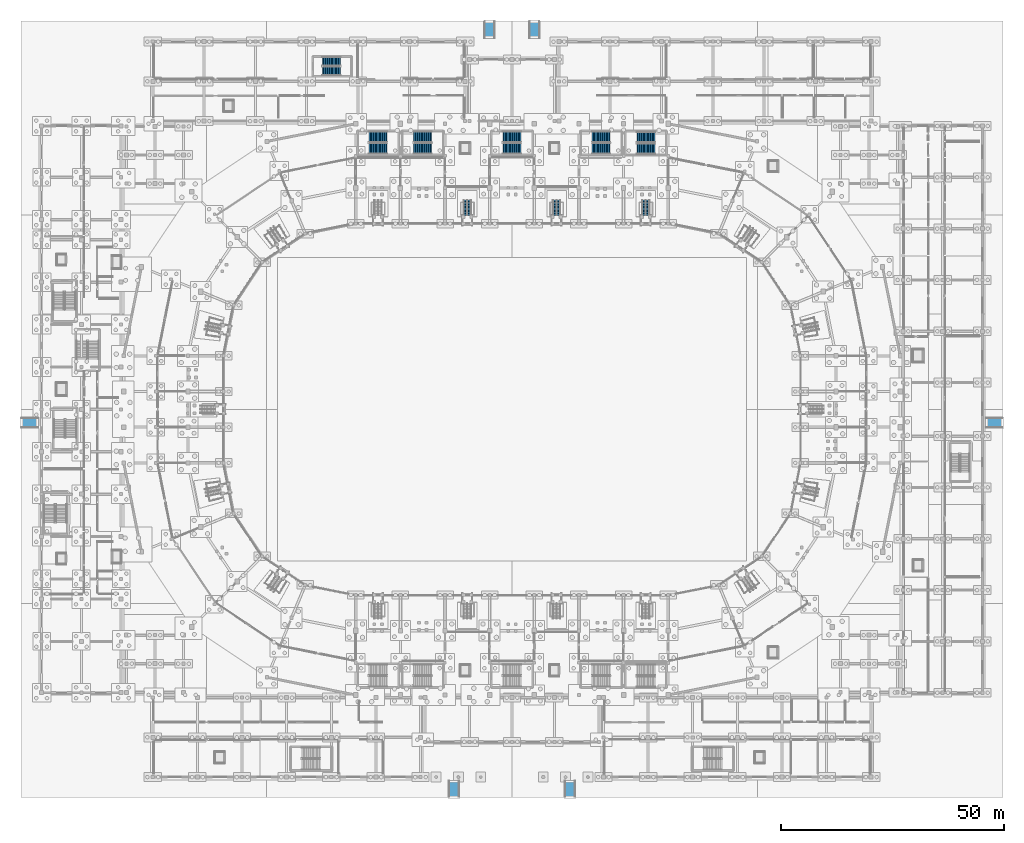
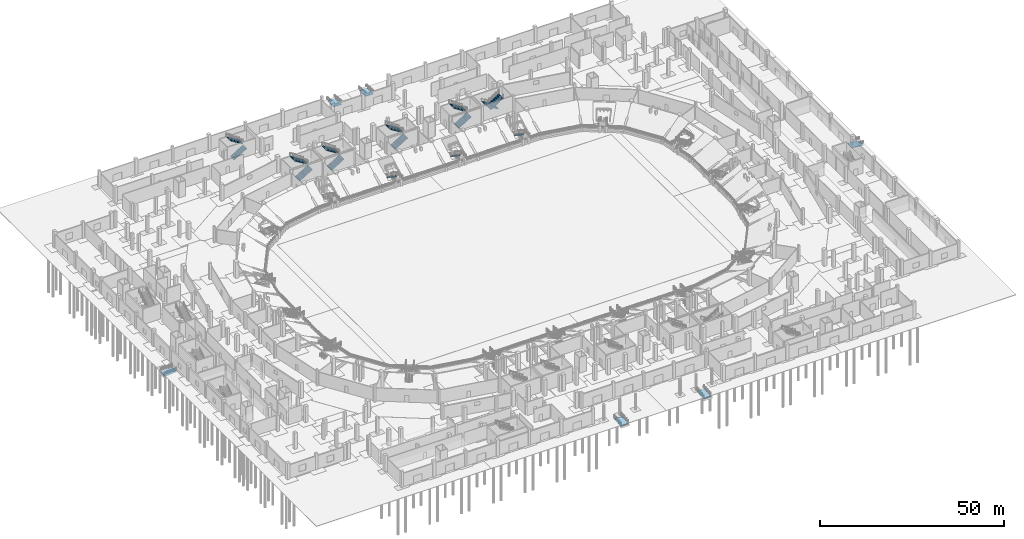
# One storey, part 45 of 68: 15 stair flights, 6 ramp flights, 15 elements without a shape of their own.
"""IFC4 building model written with IfcOpenShell, lengths in metres."""

from ifc_helpers import new_model, si_unit, direction, frame, origin, place, context, subcontext, project, spatial, polyline, outline, extrude, material, layer, layer_set, type_object, element, aggregate, save


model = new_model("IFC4")

# Units and contexts
model_context = context("Model", 3, precision=1e-05, world=origin(), true_north=direction((0.0, 1.0)))
body_context = subcontext(model_context, "Body", "Model", "MODEL_VIEW")
ifc_project = project(units=[si_unit("LENGTHUNIT", "METRE"), si_unit("AREAUNIT", "SQUARE_METRE"), si_unit("VOLUMEUNIT", "CUBIC_METRE"), si_unit("PLANEANGLEUNIT", "RADIAN"), si_unit("MASSUNIT", "GRAM", prefix="KILO")], contexts=[model_context])

# Site, building, storey
site_placement = place(None, origin())
site = spatial("IfcSite", under=ifc_project, at=site_placement, CompositionType="ELEMENT")
building_placement = place(site_placement, origin())
building = spatial("IfcBuilding", under=site, at=building_placement, Name="Candeia Ridge Stadium", CompositionType="ELEMENT")
storey_placement = place(building_placement, origin())
storey = spatial("IfcBuildingStorey", under=building, at=storey_placement, Name="L00", CompositionType="ELEMENT", Elevation=0.0)

# Stair, stair flights
ifc_material_1 = material(Name="Concrete C40/50", Category="concrete")
stair_type_1 = type_object("IfcStairType", Name="Enclosed Core Half-Turn Stair 2450", PredefinedType="HALF_TURN_STAIR", material=ifc_material_1)
stair_1_placement = place(storey_placement, origin())
stair_1 = element("IfcStair", 1, at=stair_1_placement, inside=storey, type_object=stair_type_1, Name="L00 Enclosed exit stair ST01", PredefinedType="HALF_TURN_STAIR")
ifc_material_2 = material(Name="Precast concrete C40/50", Category="concrete")
stair_flight_type_1 = type_object("IfcStairFlightType", Name="Core Precast Stair Flight 2450", PredefinedType="STRAIGHT", material=ifc_material_2)
stair_flight_1_placement = place(storey_placement, frame((73.949951171875, 141.425048828125, 0.0), z_axis=(0.0, 0.0, 1.0), x_axis=(1.0, 0.0, 0.0)))
stair_flight_1 = element("IfcStairFlight", 2, at=stair_flight_1_placement, type_object=stair_flight_type_1, Name="ST01 flight 1", NumberOfRisers=15, NumberOfTreads=14, PredefinedType="STRAIGHT", RiserHeight=0.18, TreadLength=0.29, context=body_context, shape_type="SweptSolid", body=[
    extrude(outline(polyline([(0.0, 0.0), (0.0, 0.179931640625), (0.2900390625, 0.179931640625), (0.2900390625, 0.360107421875), (0.580078125, 0.360107421875), (0.580078125, 0.5400390625), (0.8701171875, 0.5400390625), (0.8701171875, 0.719970703125), (1.159912109375, 0.719970703125), (1.159912109375, 0.89990234375), (1.449951171875, 0.89990234375), (1.449951171875, 1.080078125), (1.739990234375, 1.080078125), (1.739990234375, 1.260009765625), (2.030029296875, 1.260009765625), (2.030029296875, 1.43994140625), (2.320068359375, 1.43994140625), (2.320068359375, 1.6201171875), (2.610107421875, 1.6201171875), (2.610107421875, 1.800048828125), (2.89990234375, 1.800048828125), (2.89990234375, 1.97998046875), (3.18994140625, 1.97998046875), (3.18994140625, 2.159912109375), (3.47998046875, 2.159912109375), (3.47998046875, 2.340087890625), (3.77001953125, 2.340087890625), (3.77001953125, 2.52001953125), (4.06005859375, 2.52001953125), (4.06005859375, 2.699951171875), (4.06005859375, 2.331787109375), (0.30322265625, 0.0), (0.0, 0.0)])), frame((0.0, 1.22509765625, 0.0), z_axis=(0.0, -1.0, 0.0), x_axis=(1.0, 0.0, 0.0)), (0.0, 0.0, 1.0), 2.449951171875),
])
stair_flight_2_placement = place(storey_placement, frame((78.010009765625, 144.02490234375, 2.699951171875), z_axis=(0.0, 0.0, 1.0), x_axis=(-1.0, 0.0, 0.0)))
stair_flight_2 = element("IfcStairFlight", 3, at=stair_flight_2_placement, type_object=stair_flight_type_1, Name="ST01 flight 2", NumberOfRisers=15, NumberOfTreads=14, PredefinedType="STRAIGHT", RiserHeight=0.18, TreadLength=0.29, context=body_context, shape_type="SweptSolid", body=[
    extrude(outline(polyline([(0.0, 0.0), (0.0, 0.179931640625), (0.2900390625, 0.179931640625), (0.2900390625, 0.360107421875), (0.580078125, 0.360107421875), (0.580078125, 0.5400390625), (0.8701171875, 0.5400390625), (0.8701171875, 0.719970703125), (1.159912109375, 0.719970703125), (1.159912109375, 0.89990234375), (1.449951171875, 0.89990234375), (1.449951171875, 1.080078125), (1.739990234375, 1.080078125), (1.739990234375, 1.260009765625), (2.030029296875, 1.260009765625), (2.030029296875, 1.43994140625), (2.320068359375, 1.43994140625), (2.320068359375, 1.6201171875), (2.610107421875, 1.6201171875), (2.610107421875, 1.800048828125), (2.89990234375, 1.800048828125), (2.89990234375, 1.97998046875), (3.18994140625, 1.97998046875), (3.18994140625, 2.159912109375), (3.47998046875, 2.159912109375), (3.47998046875, 2.340087890625), (3.77001953125, 2.340087890625), (3.77001953125, 2.52001953125), (4.06005859375, 2.52001953125), (4.06005859375, 2.699951171875), (4.06005859375, 2.331787109375), (0.30322265625, 0.0), (0.0, 0.0)])), frame((0.0, 1.22509765625, 0.0), z_axis=(0.0, -1.0, 0.0), x_axis=(1.0, 0.0, 0.0)), (0.0, 0.0, 1.0), 2.449951171875),
])
aggregate(stair_1, [stair_flight_1, stair_flight_2])

stair_2_placement = place(storey_placement, origin())
stair_2 = element("IfcStair", 4, at=stair_2_placement, inside=storey, type_object=stair_type_1, Name="L00 Enclosed exit stair ST04", PredefinedType="HALF_TURN_STAIR")
stair_flight_3_placement = place(storey_placement, frame((138.050048828125, 143.97509765625, 0.0), z_axis=(0.0, 0.0, 1.0), x_axis=(-1.0, 0.0, 0.0)))
stair_flight_3 = element("IfcStairFlight", 5, at=stair_flight_3_placement, type_object=stair_flight_type_1, Name="ST04 flight 1", NumberOfRisers=15, NumberOfTreads=14, PredefinedType="STRAIGHT", RiserHeight=0.18, TreadLength=0.29, context=body_context, shape_type="SweptSolid", body=[
    extrude(outline(polyline([(0.0, 0.0), (0.0, 0.179931640625), (0.2900390625, 0.179931640625), (0.2900390625, 0.360107421875), (0.580078125, 0.360107421875), (0.580078125, 0.5400390625), (0.8701171875, 0.5400390625), (0.8701171875, 0.719970703125), (1.159912109375, 0.719970703125), (1.159912109375, 0.89990234375), (1.449951171875, 0.89990234375), (1.449951171875, 1.080078125), (1.739990234375, 1.080078125), (1.739990234375, 1.260009765625), (2.030029296875, 1.260009765625), (2.030029296875, 1.43994140625), (2.320068359375, 1.43994140625), (2.320068359375, 1.6201171875), (2.610107421875, 1.6201171875), (2.610107421875, 1.800048828125), (2.89990234375, 1.800048828125), (2.89990234375, 1.97998046875), (3.18994140625, 1.97998046875), (3.18994140625, 2.159912109375), (3.47998046875, 2.159912109375), (3.47998046875, 2.340087890625), (3.77001953125, 2.340087890625), (3.77001953125, 2.52001953125), (4.06005859375, 2.52001953125), (4.06005859375, 2.699951171875), (4.06005859375, 2.331787109375), (0.30322265625, 0.0), (0.0, 0.0)])), frame((0.0, 1.22509765625, 0.0), z_axis=(0.0, -1.0, 0.0), x_axis=(1.0, 0.0, 0.0)), (0.0, 0.0, 1.0), 2.449951171875),
])
stair_flight_4_placement = place(storey_placement, frame((133.989990234375, 141.375, 2.699951171875), z_axis=(0.0, 0.0, 1.0), x_axis=(1.0, 0.0, 0.0)))
stair_flight_4 = element("IfcStairFlight", 6, at=stair_flight_4_placement, type_object=stair_flight_type_1, Name="ST04 flight 2", NumberOfRisers=15, NumberOfTreads=14, PredefinedType="STRAIGHT", RiserHeight=0.18, TreadLength=0.29, context=body_context, shape_type="SweptSolid", body=[
    extrude(outline(polyline([(0.0, 0.0), (0.0, 0.179931640625), (0.2900390625, 0.179931640625), (0.2900390625, 0.360107421875), (0.580078125, 0.360107421875), (0.580078125, 0.5400390625), (0.8701171875, 0.5400390625), (0.8701171875, 0.719970703125), (1.159912109375, 0.719970703125), (1.159912109375, 0.89990234375), (1.449951171875, 0.89990234375), (1.449951171875, 1.080078125), (1.739990234375, 1.080078125), (1.739990234375, 1.260009765625), (2.030029296875, 1.260009765625), (2.030029296875, 1.43994140625), (2.320068359375, 1.43994140625), (2.320068359375, 1.6201171875), (2.610107421875, 1.6201171875), (2.610107421875, 1.800048828125), (2.89990234375, 1.800048828125), (2.89990234375, 1.97998046875), (3.18994140625, 1.97998046875), (3.18994140625, 2.159912109375), (3.47998046875, 2.159912109375), (3.47998046875, 2.340087890625), (3.77001953125, 2.340087890625), (3.77001953125, 2.52001953125), (4.06005859375, 2.52001953125), (4.06005859375, 2.699951171875), (4.06005859375, 2.331787109375), (0.30322265625, 0.0), (0.0, 0.0)])), frame((0.0, 1.22509765625, 0.0), z_axis=(0.0, -1.0, 0.0), x_axis=(1.0, 0.0, 0.0)), (0.0, 0.0, 1.0), 2.449951171875),
])
aggregate(stair_2, [stair_flight_3, stair_flight_4])

stair_3_placement = place(storey_placement, origin())
stair_3 = element("IfcStair", 7, at=stair_3_placement, inside=storey, type_object=stair_type_1, Name="L00 Enclosed exit stair ST09", PredefinedType="HALF_TURN_STAIR")
stair_flight_5_placement = place(storey_placement, frame((83.949951171875, 141.425048828125, 0.0), z_axis=(0.0, 0.0, 1.0), x_axis=(1.0, 0.0, 0.0)))
stair_flight_5 = element("IfcStairFlight", 8, at=stair_flight_5_placement, type_object=stair_flight_type_1, Name="ST09 flight 1", NumberOfRisers=15, NumberOfTreads=14, PredefinedType="STRAIGHT", RiserHeight=0.18, TreadLength=0.29, context=body_context, shape_type="SweptSolid", body=[
    extrude(outline(polyline([(0.0, 0.0), (0.0, 0.179931640625), (0.2900390625, 0.179931640625), (0.2900390625, 0.360107421875), (0.580078125, 0.360107421875), (0.580078125, 0.5400390625), (0.8701171875, 0.5400390625), (0.8701171875, 0.719970703125), (1.159912109375, 0.719970703125), (1.159912109375, 0.89990234375), (1.449951171875, 0.89990234375), (1.449951171875, 1.080078125), (1.739990234375, 1.080078125), (1.739990234375, 1.260009765625), (2.030029296875, 1.260009765625), (2.030029296875, 1.43994140625), (2.320068359375, 1.43994140625), (2.320068359375, 1.6201171875), (2.610107421875, 1.6201171875), (2.610107421875, 1.800048828125), (2.89990234375, 1.800048828125), (2.89990234375, 1.97998046875), (3.18994140625, 1.97998046875), (3.18994140625, 2.159912109375), (3.47998046875, 2.159912109375), (3.47998046875, 2.340087890625), (3.77001953125, 2.340087890625), (3.77001953125, 2.52001953125), (4.06005859375, 2.52001953125), (4.06005859375, 2.699951171875), (4.06005859375, 2.331787109375), (0.30322265625, 0.0), (0.0, 0.0)])), frame((0.0, 1.22509765625, 0.0), z_axis=(0.0, -1.0, 0.0), x_axis=(1.0, 0.0, 0.0)), (0.0, 0.0, 1.0), 2.449951171875),
])
stair_flight_6_placement = place(storey_placement, frame((88.010009765625, 144.02490234375, 2.699951171875), z_axis=(0.0, 0.0, 1.0), x_axis=(-1.0, 0.0, 0.0)))
stair_flight_6 = element("IfcStairFlight", 9, at=stair_flight_6_placement, type_object=stair_flight_type_1, Name="ST09 flight 2", NumberOfRisers=15, NumberOfTreads=14, PredefinedType="STRAIGHT", RiserHeight=0.18, TreadLength=0.29, context=body_context, shape_type="SweptSolid", body=[
    extrude(outline(polyline([(0.0, 0.0), (0.0, 0.179931640625), (0.2900390625, 0.179931640625), (0.2900390625, 0.360107421875), (0.580078125, 0.360107421875), (0.580078125, 0.5400390625), (0.8701171875, 0.5400390625), (0.8701171875, 0.719970703125), (1.159912109375, 0.719970703125), (1.159912109375, 0.89990234375), (1.449951171875, 0.89990234375), (1.449951171875, 1.080078125), (1.739990234375, 1.080078125), (1.739990234375, 1.260009765625), (2.030029296875, 1.260009765625), (2.030029296875, 1.43994140625), (2.320068359375, 1.43994140625), (2.320068359375, 1.6201171875), (2.610107421875, 1.6201171875), (2.610107421875, 1.800048828125), (2.89990234375, 1.800048828125), (2.89990234375, 1.97998046875), (3.18994140625, 1.97998046875), (3.18994140625, 2.159912109375), (3.47998046875, 2.159912109375), (3.47998046875, 2.340087890625), (3.77001953125, 2.340087890625), (3.77001953125, 2.52001953125), (4.06005859375, 2.52001953125), (4.06005859375, 2.699951171875), (4.06005859375, 2.331787109375), (0.30322265625, 0.0), (0.0, 0.0)])), frame((0.0, 1.22509765625, 0.0), z_axis=(0.0, -1.0, 0.0), x_axis=(1.0, 0.0, 0.0)), (0.0, 0.0, 1.0), 2.449951171875),
])
aggregate(stair_3, [stair_flight_5, stair_flight_6])

stair_4_placement = place(storey_placement, origin())
stair_4 = element("IfcStair", 10, at=stair_4_placement, inside=storey, type_object=stair_type_1, Name="L00 Enclosed exit stair ST10", PredefinedType="HALF_TURN_STAIR")
stair_flight_7_placement = place(storey_placement, frame((123.949951171875, 141.425048828125, 0.0), z_axis=(0.0, 0.0, 1.0), x_axis=(1.0, 0.0, 0.0)))
stair_flight_7 = element("IfcStairFlight", 11, at=stair_flight_7_placement, type_object=stair_flight_type_1, Name="ST10 flight 1", NumberOfRisers=15, NumberOfTreads=14, PredefinedType="STRAIGHT", RiserHeight=0.18, TreadLength=0.29, context=body_context, shape_type="SweptSolid", body=[
    extrude(outline(polyline([(0.0, 0.0), (0.0, 0.179931640625), (0.2900390625, 0.179931640625), (0.2900390625, 0.360107421875), (0.580078125, 0.360107421875), (0.580078125, 0.5400390625), (0.8701171875, 0.5400390625), (0.8701171875, 0.719970703125), (1.159912109375, 0.719970703125), (1.159912109375, 0.89990234375), (1.449951171875, 0.89990234375), (1.449951171875, 1.080078125), (1.739990234375, 1.080078125), (1.739990234375, 1.260009765625), (2.030029296875, 1.260009765625), (2.030029296875, 1.43994140625), (2.320068359375, 1.43994140625), (2.320068359375, 1.6201171875), (2.610107421875, 1.6201171875), (2.610107421875, 1.800048828125), (2.89990234375, 1.800048828125), (2.89990234375, 1.97998046875), (3.18994140625, 1.97998046875), (3.18994140625, 2.159912109375), (3.47998046875, 2.159912109375), (3.47998046875, 2.340087890625), (3.77001953125, 2.340087890625), (3.77001953125, 2.52001953125), (4.06005859375, 2.52001953125), (4.06005859375, 2.699951171875), (4.06005859375, 2.331787109375), (0.30322265625, 0.0), (0.0, 0.0)])), frame((0.0, 1.22509765625, 0.0), z_axis=(0.0, -1.0, 0.0), x_axis=(1.0, 0.0, 0.0)), (0.0, 0.0, 1.0), 2.449951171875),
])
stair_flight_8_placement = place(storey_placement, frame((128.010009765625, 144.02490234375, 2.699951171875), z_axis=(0.0, 0.0, 1.0), x_axis=(-1.0, 0.0, 0.0)))
stair_flight_8 = element("IfcStairFlight", 12, at=stair_flight_8_placement, type_object=stair_flight_type_1, Name="ST10 flight 2", NumberOfRisers=15, NumberOfTreads=14, PredefinedType="STRAIGHT", RiserHeight=0.18, TreadLength=0.29, context=body_context, shape_type="SweptSolid", body=[
    extrude(outline(polyline([(0.0, 0.0), (0.0, 0.179931640625), (0.2900390625, 0.179931640625), (0.2900390625, 0.360107421875), (0.580078125, 0.360107421875), (0.580078125, 0.5400390625), (0.8701171875, 0.5400390625), (0.8701171875, 0.719970703125), (1.159912109375, 0.719970703125), (1.159912109375, 0.89990234375), (1.449951171875, 0.89990234375), (1.449951171875, 1.080078125), (1.739990234375, 1.080078125), (1.739990234375, 1.260009765625), (2.030029296875, 1.260009765625), (2.030029296875, 1.43994140625), (2.320068359375, 1.43994140625), (2.320068359375, 1.6201171875), (2.610107421875, 1.6201171875), (2.610107421875, 1.800048828125), (2.89990234375, 1.800048828125), (2.89990234375, 1.97998046875), (3.18994140625, 1.97998046875), (3.18994140625, 2.159912109375), (3.47998046875, 2.159912109375), (3.47998046875, 2.340087890625), (3.77001953125, 2.340087890625), (3.77001953125, 2.52001953125), (4.06005859375, 2.52001953125), (4.06005859375, 2.699951171875), (4.06005859375, 2.331787109375), (0.30322265625, 0.0), (0.0, 0.0)])), frame((0.0, 1.22509765625, 0.0), z_axis=(0.0, -1.0, 0.0), x_axis=(1.0, 0.0, 0.0)), (0.0, 0.0, 1.0), 2.449951171875),
])
aggregate(stair_4, [stair_flight_7, stair_flight_8])

stair_5_placement = place(storey_placement, origin())
stair_5 = element("IfcStair", 13, at=stair_5_placement, inside=storey, type_object=stair_type_1, Name="L00 Enclosed exit stair ST17", PredefinedType="HALF_TURN_STAIR")
stair_flight_9_placement = place(storey_placement, frame((103.949951171875, 141.425048828125, 0.0), z_axis=(0.0, 0.0, 1.0), x_axis=(1.0, 0.0, 0.0)))
stair_flight_9 = element("IfcStairFlight", 14, at=stair_flight_9_placement, type_object=stair_flight_type_1, Name="ST17 flight 1", NumberOfRisers=15, NumberOfTreads=14, PredefinedType="STRAIGHT", RiserHeight=0.18, TreadLength=0.29, context=body_context, shape_type="SweptSolid", body=[
    extrude(outline(polyline([(0.0, 0.0), (0.0, 0.179931640625), (0.2900390625, 0.179931640625), (0.2900390625, 0.360107421875), (0.580078125, 0.360107421875), (0.580078125, 0.5400390625), (0.8701171875, 0.5400390625), (0.8701171875, 0.719970703125), (1.159912109375, 0.719970703125), (1.159912109375, 0.89990234375), (1.449951171875, 0.89990234375), (1.449951171875, 1.080078125), (1.739990234375, 1.080078125), (1.739990234375, 1.260009765625), (2.030029296875, 1.260009765625), (2.030029296875, 1.43994140625), (2.320068359375, 1.43994140625), (2.320068359375, 1.6201171875), (2.610107421875, 1.6201171875), (2.610107421875, 1.800048828125), (2.89990234375, 1.800048828125), (2.89990234375, 1.97998046875), (3.18994140625, 1.97998046875), (3.18994140625, 2.159912109375), (3.47998046875, 2.159912109375), (3.47998046875, 2.340087890625), (3.77001953125, 2.340087890625), (3.77001953125, 2.52001953125), (4.06005859375, 2.52001953125), (4.06005859375, 2.699951171875), (4.06005859375, 2.331787109375), (0.30322265625, 0.0), (0.0, 0.0)])), frame((0.0, 1.22509765625, 0.0), z_axis=(0.0, -1.0, 0.0), x_axis=(1.0, 0.0, 0.0)), (0.0, 0.0, 1.0), 2.449951171875),
])
stair_flight_10_placement = place(storey_placement, frame((108.010009765625, 144.02490234375, 2.699951171875), z_axis=(0.0, 0.0, 1.0), x_axis=(-1.0, 0.0, 0.0)))
stair_flight_10 = element("IfcStairFlight", 15, at=stair_flight_10_placement, type_object=stair_flight_type_1, Name="ST17 flight 2", NumberOfRisers=15, NumberOfTreads=14, PredefinedType="STRAIGHT", RiserHeight=0.18, TreadLength=0.29, context=body_context, shape_type="SweptSolid", body=[
    extrude(outline(polyline([(0.0, 0.0), (0.0, 0.179931640625), (0.2900390625, 0.179931640625), (0.2900390625, 0.360107421875), (0.580078125, 0.360107421875), (0.580078125, 0.5400390625), (0.8701171875, 0.5400390625), (0.8701171875, 0.719970703125), (1.159912109375, 0.719970703125), (1.159912109375, 0.89990234375), (1.449951171875, 0.89990234375), (1.449951171875, 1.080078125), (1.739990234375, 1.080078125), (1.739990234375, 1.260009765625), (2.030029296875, 1.260009765625), (2.030029296875, 1.43994140625), (2.320068359375, 1.43994140625), (2.320068359375, 1.6201171875), (2.610107421875, 1.6201171875), (2.610107421875, 1.800048828125), (2.89990234375, 1.800048828125), (2.89990234375, 1.97998046875), (3.18994140625, 1.97998046875), (3.18994140625, 2.159912109375), (3.47998046875, 2.159912109375), (3.47998046875, 2.340087890625), (3.77001953125, 2.340087890625), (3.77001953125, 2.52001953125), (4.06005859375, 2.52001953125), (4.06005859375, 2.699951171875), (4.06005859375, 2.331787109375), (0.30322265625, 0.0), (0.0, 0.0)])), frame((0.0, 1.22509765625, 0.0), z_axis=(0.0, -1.0, 0.0), x_axis=(1.0, 0.0, 0.0)), (0.0, 0.0, 1.0), 2.449951171875),
])
aggregate(stair_5, [stair_flight_9, stair_flight_10])

# Stair, stair flight
ifc_material_3 = material(Name="Precast concrete C45/55", Category="concrete")
stair_type_2 = type_object("IfcStairType", Name="Spectator Vomitory Straight Stair 2200", PredefinedType="STRAIGHT_RUN_STAIR", material=ifc_material_3)
stair_6_placement = place(storey_placement, origin())
stair_6 = element("IfcStair", 16, at=stair_6_placement, inside=storey, type_object=stair_type_2, Name="Vomitory stair VS01", PredefinedType="STRAIGHT_RUN_STAIR")
stair_flight_type_2 = type_object("IfcStairFlightType", Name="Vomitory Precast Stair Flight 2200", PredefinedType="STRAIGHT", material=ifc_material_3)
stair_flight_11_placement = place(storey_placement, frame((136.0, 129.89208984375, 0.0), z_axis=(0.0, 0.0, 1.0), x_axis=(0.0, -1.0, 0.0)))
stair_flight_11 = element("IfcStairFlight", 17, at=stair_flight_11_placement, type_object=stair_flight_type_2, Name="VS01 flight 1", NumberOfRisers=13, NumberOfTreads=12, PredefinedType="STRAIGHT", RiserHeight=0.172308, TreadLength=0.285, context=body_context, shape_type="SweptSolid", body=[
    extrude(outline(polyline([(0.0, 0.0), (0.0, 0.17236328125), (0.284912109375, 0.17236328125), (0.284912109375, 0.3447265625), (0.570068359375, 0.3447265625), (0.570068359375, 0.516845703125), (0.85498046875, 0.516845703125), (0.85498046875, 0.689208984375), (1.139892578125, 0.689208984375), (1.139892578125, 0.861572265625), (1.425048828125, 0.861572265625), (1.425048828125, 1.033935546875), (1.7099609375, 1.033935546875), (1.7099609375, 1.2060546875), (1.9951171875, 1.2060546875), (1.9951171875, 1.37841796875), (2.280029296875, 1.37841796875), (2.280029296875, 1.55078125), (2.56494140625, 1.55078125), (2.56494140625, 1.72314453125), (2.85009765625, 1.72314453125), (2.85009765625, 1.8955078125), (3.135009765625, 1.8955078125), (3.135009765625, 2.067626953125), (3.419921875, 2.067626953125), (3.419921875, 2.239990234375), (3.419921875, 1.857421875), (0.34765625, 0.0), (0.0, 0.0)])), frame((0.0, 0.800048828125, 0.0), z_axis=(0.0, -1.0, 0.0), x_axis=(1.0, 0.0, 0.0)), (0.0, 0.0, 1.0), 1.60009765625),
])
aggregate(stair_6, [stair_flight_11])

stair_7_placement = place(storey_placement, origin())
stair_7 = element("IfcStair", 18, at=stair_7_placement, inside=storey, type_object=stair_type_2, Name="Vomitory stair VS02", PredefinedType="STRAIGHT_RUN_STAIR")
stair_flight_12_placement = place(storey_placement, frame((116.0, 129.89208984375, 0.0), z_axis=(0.0, 0.0, 1.0), x_axis=(0.0, -1.0, 0.0)))
stair_flight_12 = element("IfcStairFlight", 19, at=stair_flight_12_placement, type_object=stair_flight_type_2, Name="VS02 flight 1", NumberOfRisers=13, NumberOfTreads=12, PredefinedType="STRAIGHT", RiserHeight=0.172308, TreadLength=0.285, context=body_context, shape_type="SweptSolid", body=[
    extrude(outline(polyline([(0.0, 0.0), (0.0, 0.17236328125), (0.284912109375, 0.17236328125), (0.284912109375, 0.3447265625), (0.570068359375, 0.3447265625), (0.570068359375, 0.516845703125), (0.85498046875, 0.516845703125), (0.85498046875, 0.689208984375), (1.139892578125, 0.689208984375), (1.139892578125, 0.861572265625), (1.425048828125, 0.861572265625), (1.425048828125, 1.033935546875), (1.7099609375, 1.033935546875), (1.7099609375, 1.2060546875), (1.9951171875, 1.2060546875), (1.9951171875, 1.37841796875), (2.280029296875, 1.37841796875), (2.280029296875, 1.55078125), (2.56494140625, 1.55078125), (2.56494140625, 1.72314453125), (2.85009765625, 1.72314453125), (2.85009765625, 1.8955078125), (3.135009765625, 1.8955078125), (3.135009765625, 2.067626953125), (3.419921875, 2.067626953125), (3.419921875, 2.239990234375), (3.419921875, 1.857421875), (0.34765625, 0.0), (0.0, 0.0)])), frame((0.0, 0.800048828125, 0.0), z_axis=(0.0, -1.0, 0.0), x_axis=(1.0, 0.0, 0.0)), (0.0, 0.0, 1.0), 1.60009765625),
])
aggregate(stair_7, [stair_flight_12])

stair_8_placement = place(storey_placement, origin())
stair_8 = element("IfcStair", 20, at=stair_8_placement, inside=storey, type_object=stair_type_2, Name="Vomitory stair VS03", PredefinedType="STRAIGHT_RUN_STAIR")
stair_flight_13_placement = place(storey_placement, frame((96.0, 129.89208984375, 0.0), z_axis=(0.0, 0.0, 1.0), x_axis=(0.0, -1.0, 0.0)))
stair_flight_13 = element("IfcStairFlight", 21, at=stair_flight_13_placement, type_object=stair_flight_type_2, Name="VS03 flight 1", NumberOfRisers=13, NumberOfTreads=12, PredefinedType="STRAIGHT", RiserHeight=0.172308, TreadLength=0.285, context=body_context, shape_type="SweptSolid", body=[
    extrude(outline(polyline([(0.0, 0.0), (0.0, 0.17236328125), (0.284912109375, 0.17236328125), (0.284912109375, 0.3447265625), (0.570068359375, 0.3447265625), (0.570068359375, 0.516845703125), (0.85498046875, 0.516845703125), (0.85498046875, 0.689208984375), (1.139892578125, 0.689208984375), (1.139892578125, 0.861572265625), (1.425048828125, 0.861572265625), (1.425048828125, 1.033935546875), (1.7099609375, 1.033935546875), (1.7099609375, 1.2060546875), (1.9951171875, 1.2060546875), (1.9951171875, 1.37841796875), (2.280029296875, 1.37841796875), (2.280029296875, 1.55078125), (2.56494140625, 1.55078125), (2.56494140625, 1.72314453125), (2.85009765625, 1.72314453125), (2.85009765625, 1.8955078125), (3.135009765625, 1.8955078125), (3.135009765625, 2.067626953125), (3.419921875, 2.067626953125), (3.419921875, 2.239990234375), (3.419921875, 1.857421875), (0.34765625, 0.0), (0.0, 0.0)])), frame((0.0, 0.800048828125, 0.0), z_axis=(0.0, -1.0, 0.0), x_axis=(1.0, 0.0, 0.0)), (0.0, 0.0, 1.0), 1.60009765625),
])
aggregate(stair_8, [stair_flight_13])

# Stair, stair flights
stair_type_3 = type_object("IfcStairType", Name="Enclosed Wing Half-Turn Stair 2000", PredefinedType="HALF_TURN_STAIR", material=ifc_material_1)
stair_9_placement = place(storey_placement, origin())
stair_9 = element("IfcStair", 22, at=stair_9_placement, inside=storey, type_object=stair_type_3, Name="L00 Enclosed exit stair ST15", PredefinedType="HALF_TURN_STAIR")
stair_flight_type_3 = type_object("IfcStairFlightType", Name="Wing Precast Stair Flight 2000", PredefinedType="STRAIGHT", material=ifc_material_2)
stair_flight_14_placement = place(storey_placement, frame((63.5, 158.800048828125, 0.0), z_axis=(0.0, 0.0, 1.0), x_axis=(1.0, 0.0, 0.0)))
stair_flight_14 = element("IfcStairFlight", 23, at=stair_flight_14_placement, type_object=stair_flight_type_3, Name="ST15 flight 1", NumberOfRisers=15, NumberOfTreads=14, PredefinedType="STRAIGHT", RiserHeight=0.18, TreadLength=0.29, context=body_context, shape_type="SweptSolid", body=[
    extrude(outline(polyline([(0.0, 0.0), (0.0, 0.179931640625), (0.2900390625, 0.179931640625), (0.2900390625, 0.360107421875), (0.580078125, 0.360107421875), (0.580078125, 0.5400390625), (0.8701171875, 0.5400390625), (0.8701171875, 0.719970703125), (1.159912109375, 0.719970703125), (1.159912109375, 0.89990234375), (1.449951171875, 0.89990234375), (1.449951171875, 1.080078125), (1.739990234375, 1.080078125), (1.739990234375, 1.260009765625), (2.030029296875, 1.260009765625), (2.030029296875, 1.43994140625), (2.320068359375, 1.43994140625), (2.320068359375, 1.6201171875), (2.610107421875, 1.6201171875), (2.610107421875, 1.800048828125), (2.89990234375, 1.800048828125), (2.89990234375, 1.97998046875), (3.18994140625, 1.97998046875), (3.18994140625, 2.159912109375), (3.47998046875, 2.159912109375), (3.47998046875, 2.340087890625), (3.77001953125, 2.340087890625), (3.77001953125, 2.52001953125), (4.06005859375, 2.52001953125), (4.06005859375, 2.699951171875), (4.06005859375, 2.331787109375), (0.30322265625, 0.0), (0.0, 0.0)])), frame((0.0, 1.0, 0.0), z_axis=(0.0, -1.0, 0.0), x_axis=(1.0, 0.0, 0.0)), (0.0, 0.0, 1.0), 2.0),
])
stair_flight_15_placement = place(storey_placement, frame((67.56005859375, 160.949951171875, 2.699951171875), z_axis=(0.0, 0.0, 1.0), x_axis=(-1.0, 0.0, 0.0)))
stair_flight_15 = element("IfcStairFlight", 24, at=stair_flight_15_placement, type_object=stair_flight_type_3, Name="ST15 flight 2", NumberOfRisers=15, NumberOfTreads=14, PredefinedType="STRAIGHT", RiserHeight=0.18, TreadLength=0.29, context=body_context, shape_type="SweptSolid", body=[
    extrude(outline(polyline([(0.0, 0.0), (0.0, 0.179931640625), (0.2900390625, 0.179931640625), (0.2900390625, 0.360107421875), (0.580078125, 0.360107421875), (0.580078125, 0.5400390625), (0.8701171875, 0.5400390625), (0.8701171875, 0.719970703125), (1.159912109375, 0.719970703125), (1.159912109375, 0.89990234375), (1.449951171875, 0.89990234375), (1.449951171875, 1.080078125), (1.739990234375, 1.080078125), (1.739990234375, 1.260009765625), (2.030029296875, 1.260009765625), (2.030029296875, 1.43994140625), (2.320068359375, 1.43994140625), (2.320068359375, 1.6201171875), (2.610107421875, 1.6201171875), (2.610107421875, 1.800048828125), (2.89990234375, 1.800048828125), (2.89990234375, 1.97998046875), (3.18994140625, 1.97998046875), (3.18994140625, 2.159912109375), (3.47998046875, 2.159912109375), (3.47998046875, 2.340087890625), (3.77001953125, 2.340087890625), (3.77001953125, 2.52001953125), (4.06005859375, 2.52001953125), (4.06005859375, 2.699951171875), (4.06005859375, 2.331787109375), (0.30322265625, 0.0), (0.0, 0.0)])), frame((0.0, 1.0, 0.0), z_axis=(0.0, -1.0, 0.0), x_axis=(1.0, 0.0, 0.0)), (0.0, 0.0, 1.0), 2.0),
])
aggregate(stair_9, [stair_flight_14, stair_flight_15])

# Ramp, ramp flight
ifc_material_4 = material(Name="Concrete C35/45", Category="concrete")
ramp_type = type_object("IfcRampType", Name="Accessible Threshold Ramp 1:12", PredefinedType="STRAIGHT_RUN_RAMP", material=ifc_material_4)
ramp_1_placement = place(storey_placement, origin())
ramp_1 = element("IfcRamp", 25, at=ramp_1_placement, inside=storey, type_object=ramp_type, Name="Accessible 1:12 entrance ramp RMP-S1", PredefinedType="STRAIGHT_RUN_RAMP")
ifc_layer = layer(ifc_material_4, 0.219970703125, Name="Concrete C35/45", Category="concrete")
ifc_layer_set = layer_set([ifc_layer], Name="Concrete C35/45")
ramp_flight_type = type_object("IfcRampFlightType", Name="Accessible Ramp Flight 1:12", PredefinedType="STRAIGHT", material=ifc_layer_set)
ramp_flight_1_placement = place(storey_placement, frame((93.0, -3.800048828125, -0.300048828125), z_axis=(0.0, 0.0, 1.0), x_axis=(0.0, 1.0, 0.0)))
ramp_flight_1 = element("IfcRampFlight", 26, at=ramp_flight_1_placement, type_object=ramp_flight_type, Name="Accessible ramp flight RMP-S1-FL1", PredefinedType="STRAIGHT", context=body_context, shape_type="SweptSolid", body=[
    extrude(outline(polyline([(0.0, 0.0), (3.60009765625, 0.300048828125), (3.60009765625, 0.080078125), (0.0, -0.219970703125), (0.0, 0.0)])), frame((0.0, 1.199951171875, 0.0), z_axis=(0.0, -1.0, 0.0), x_axis=(1.0, 0.0, 0.0)), (0.0, 0.0, 1.0), 2.39990234375),
])
aggregate(ramp_1, [ramp_flight_1])

ramp_2_placement = place(storey_placement, origin())
ramp_2 = element("IfcRamp", 27, at=ramp_2_placement, inside=storey, type_object=ramp_type, Name="Accessible 1:12 entrance ramp RMP-S2", PredefinedType="STRAIGHT_RUN_RAMP")
ramp_flight_2_placement = place(storey_placement, frame((119.0, -3.800048828125, -0.300048828125), z_axis=(0.0, 0.0, 1.0), x_axis=(0.0, 1.0, 0.0)))
ramp_flight_2 = element("IfcRampFlight", 28, at=ramp_flight_2_placement, type_object=ramp_flight_type, Name="Accessible ramp flight RMP-S2-FL1", PredefinedType="STRAIGHT", context=body_context, shape_type="SweptSolid", body=[
    extrude(outline(polyline([(0.0, 0.0), (3.60009765625, 0.300048828125), (3.60009765625, 0.080078125), (0.0, -0.219970703125), (0.0, 0.0)])), frame((0.0, 1.199951171875, 0.0), z_axis=(0.0, -1.0, 0.0), x_axis=(1.0, 0.0, 0.0)), (0.0, 0.0, 1.0), 2.39990234375),
])
aggregate(ramp_2, [ramp_flight_2])

ramp_3_placement = place(storey_placement, origin())
ramp_3 = element("IfcRamp", 29, at=ramp_3_placement, inside=storey, type_object=ramp_type, Name="Accessible 1:12 entrance ramp RMP-N1", PredefinedType="STRAIGHT_RUN_RAMP")
ramp_flight_3_placement = place(storey_placement, frame((101.0, 169.800048828125, -0.300048828125), z_axis=(0.0, 0.0, 1.0), x_axis=(0.0, -1.0, 0.0)))
ramp_flight_3 = element("IfcRampFlight", 30, at=ramp_flight_3_placement, type_object=ramp_flight_type, Name="Accessible ramp flight RMP-N1-FL1", PredefinedType="STRAIGHT", context=body_context, shape_type="SweptSolid", body=[
    extrude(outline(polyline([(0.0, 0.0), (3.60009765625, 0.300048828125), (3.60009765625, 0.080078125), (0.0, -0.219970703125), (0.0, 0.0)])), frame((0.0, 1.199951171875, 0.0), z_axis=(0.0, -1.0, 0.0), x_axis=(1.0, 0.0, 0.0)), (0.0, 0.0, 1.0), 2.39990234375),
])
aggregate(ramp_3, [ramp_flight_3])

ramp_4_placement = place(storey_placement, origin())
ramp_4 = element("IfcRamp", 31, at=ramp_4_placement, inside=storey, type_object=ramp_type, Name="Accessible 1:12 entrance ramp RMP-N2", PredefinedType="STRAIGHT_RUN_RAMP")
ramp_flight_4_placement = place(storey_placement, frame((111.0, 169.800048828125, -0.300048828125), z_axis=(0.0, 0.0, 1.0), x_axis=(0.0, -1.0, 0.0)))
ramp_flight_4 = element("IfcRampFlight", 32, at=ramp_flight_4_placement, type_object=ramp_flight_type, Name="Accessible ramp flight RMP-N2-FL1", PredefinedType="STRAIGHT", context=body_context, shape_type="SweptSolid", body=[
    extrude(outline(polyline([(0.0, 0.0), (3.60009765625, 0.300048828125), (3.60009765625, 0.080078125), (0.0, -0.219970703125), (0.0, 0.0)])), frame((0.0, 1.199951171875, 0.0), z_axis=(0.0, -1.0, 0.0), x_axis=(1.0, 0.0, 0.0)), (0.0, 0.0, 1.0), 2.39990234375),
])
aggregate(ramp_4, [ramp_flight_4])

ramp_5_placement = place(storey_placement, origin())
ramp_5 = element("IfcRamp", 33, at=ramp_5_placement, inside=storey, type_object=ramp_type, Name="Accessible 1:12 entrance ramp RMP-W1", PredefinedType="STRAIGHT_RUN_RAMP")
ramp_flight_5_placement = place(storey_placement, frame((-3.800048828125, 80.0, -0.300048828125), z_axis=(0.0, 0.0, 1.0), x_axis=(1.0, 0.0, 0.0)))
ramp_flight_5 = element("IfcRampFlight", 34, at=ramp_flight_5_placement, type_object=ramp_flight_type, Name="Accessible ramp flight RMP-W1-FL1", PredefinedType="STRAIGHT", context=body_context, shape_type="SweptSolid", body=[
    extrude(outline(polyline([(0.0, 0.0), (3.60009765625, 0.300048828125), (3.60009765625, 0.080078125), (0.0, -0.219970703125), (0.0, 0.0)])), frame((0.0, 1.199951171875, 0.0), z_axis=(0.0, -1.0, 0.0), x_axis=(1.0, 0.0, 0.0)), (0.0, 0.0, 1.0), 2.39990234375),
])
aggregate(ramp_5, [ramp_flight_5])

ramp_6_placement = place(storey_placement, origin())
ramp_6 = element("IfcRamp", 35, at=ramp_6_placement, inside=storey, type_object=ramp_type, Name="Accessible 1:12 entrance ramp RMP-E1", PredefinedType="STRAIGHT_RUN_RAMP")
ramp_flight_6_placement = place(storey_placement, frame((215.800048828125, 80.0, -0.300048828125), z_axis=(0.0, 0.0, 1.0), x_axis=(-1.0, 0.0, 0.0)))
ramp_flight_6 = element("IfcRampFlight", 36, at=ramp_flight_6_placement, type_object=ramp_flight_type, Name="Accessible ramp flight RMP-E1-FL1", PredefinedType="STRAIGHT", context=body_context, shape_type="SweptSolid", body=[
    extrude(outline(polyline([(0.0, 0.0), (3.60009765625, 0.300048828125), (3.60009765625, 0.080078125), (0.0, -0.219970703125), (0.0, 0.0)])), frame((0.0, 1.199951171875, 0.0), z_axis=(0.0, -1.0, 0.0), x_axis=(1.0, 0.0, 0.0)), (0.0, 0.0, 1.0), 2.39990234375),
])
aggregate(ramp_6, [ramp_flight_6])

save(model, "model.ifc")
